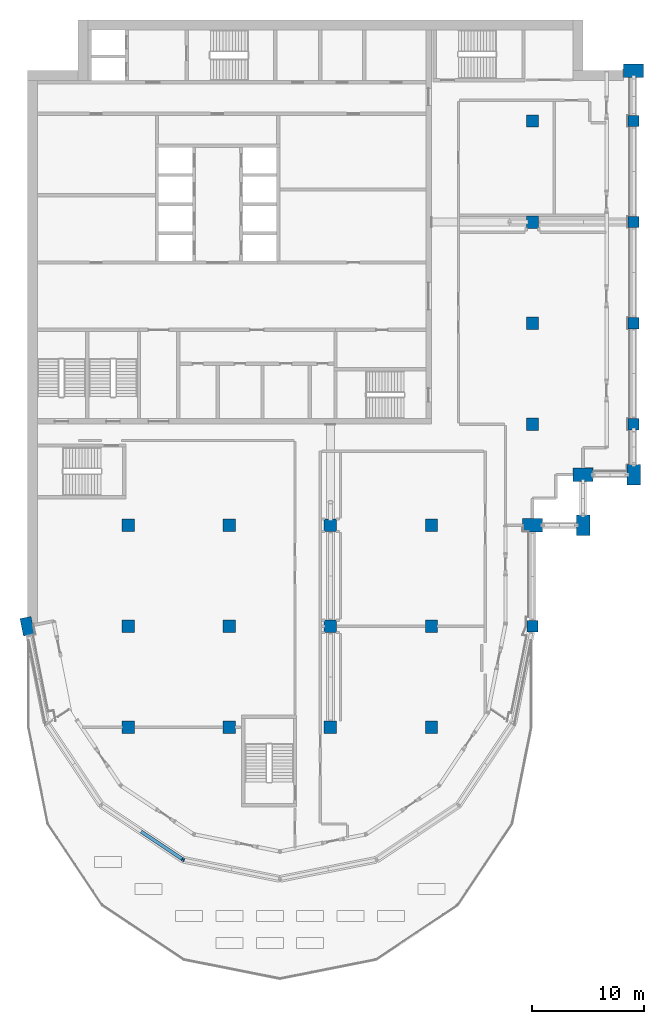
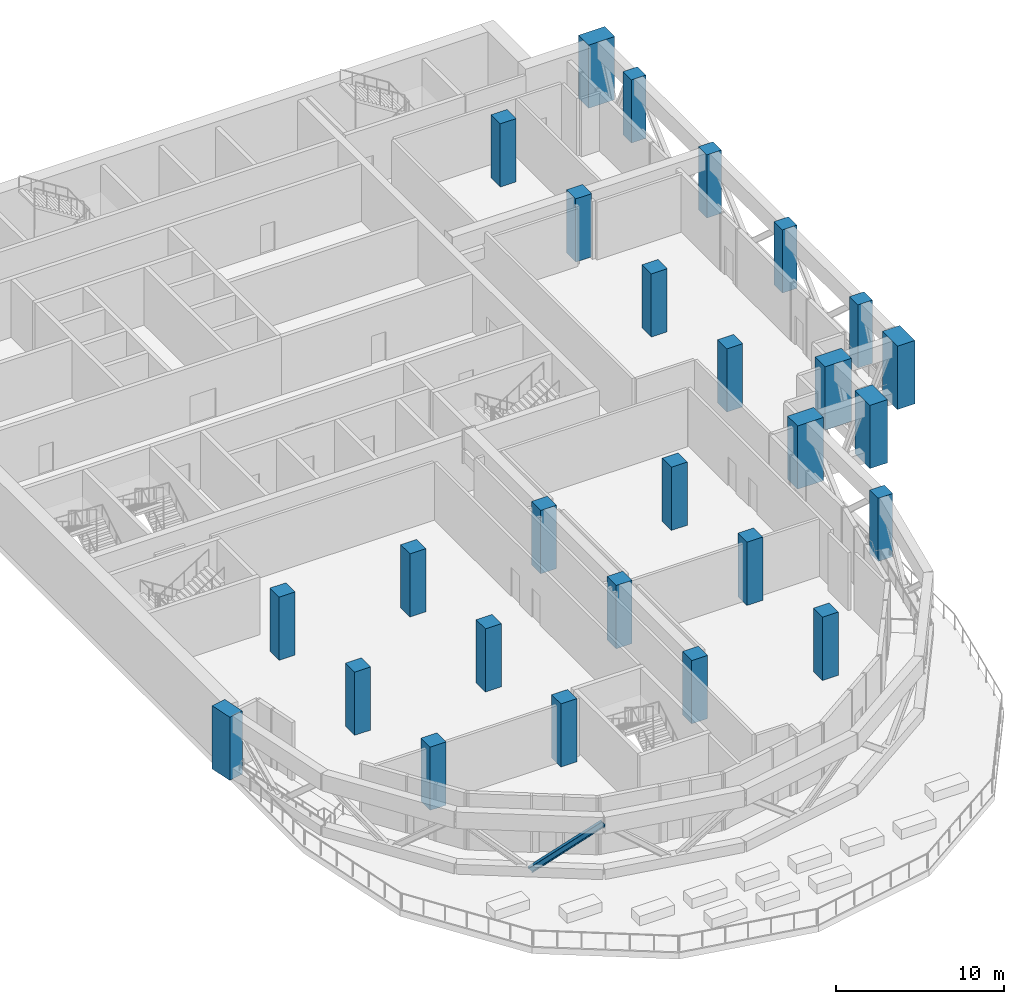
# One storey, part 1 of 16: 27 columns, 1 member.
"""IFC4 building model written with IfcOpenShell, lengths in metres."""

from ifc_helpers import new_model, si_unit, direction, frame, origin, origin_2d, place, context, subcontext, project, spatial, rectangle, i_section, extrude, material, material_profile, profile_set, type_object, element, save


model = new_model("IFC4")

# Units and contexts
model_context = context("Model", 3, precision=1e-05, world=origin(), true_north=direction((0.0, 1.0)))
body_context = subcontext(model_context, "Body", "Model", "MODEL_VIEW")
ifc_project = project(units=[si_unit("LENGTHUNIT", "METRE"), si_unit("AREAUNIT", "SQUARE_METRE"), si_unit("VOLUMEUNIT", "CUBIC_METRE"), si_unit("PLANEANGLEUNIT", "RADIAN"), si_unit("MASSUNIT", "GRAM", prefix="KILO")], contexts=[model_context])

# Site, building, storey
site_placement = place(None, origin())
site = spatial("IfcSite", under=ifc_project, at=site_placement, CompositionType="ELEMENT")
building_placement = place(site_placement, origin())
building = spatial("IfcBuilding", under=site, at=building_placement, Name="Hunhe Ridgeline Campus", CompositionType="ELEMENT")
storey_placement = place(building_placement, frame((0.0, 0.0, 227.199951171875)))
storey = spatial("IfcBuildingStorey", under=building, at=storey_placement, Name="L58", CompositionType="ELEMENT", Elevation=227.199951171875)

# Columns
ifc_material_1 = material(Name="Concrete C60", Category="concrete")
ifc_material_profile_1 = material_profile(ifc_material_1, rectangle(XDim=1.60009765625, YDim=1.0, at=origin_2d()))
ifc_profile_set_1 = profile_set([ifc_material_profile_1], Name="Concrete C60")
column_type_1 = type_object("IfcColumnType", Name="Megacolumn 1600x1000 Concrete C60", PredefinedType="COLUMN", material=ifc_profile_set_1)
column_placement = place(storey_placement, frame((0.0, 45.0, 0.0), z_axis=(0.0, 0.0, 1.0), x_axis=(-0.195090322016, 0.980785280403, 0.0)))
element("IfcColumn", 1, at=column_placement, inside=storey, type_object=column_type_1, Name="Column C14 F1 L58", PredefinedType="COLUMN", context=body_context, shape_type="SweptSolid", body=[
    extrude(rectangle(XDim=1.60009765625, YDim=1.0, at=origin_2d()), origin(), (0.0, 0.0, 1.0), 4.60009765625),
])
ifc_material_profile_2 = material_profile(ifc_material_1, rectangle(XDim=1.800048828125, YDim=1.199951171875, at=origin_2d()))
ifc_profile_set_2 = profile_set([ifc_material_profile_2], Name="Concrete C60")
column_type_2 = type_object("IfcColumnType", Name="Megacolumn 1800x1200 Concrete C60", PredefinedType="COLUMN", material=ifc_profile_set_2)
for number, where, z_axis, x_axis, name in (
    (2, (45.0, 54.0, 0.0), (0.0, 0.0, 1.0), (1.0, 0.0, 0.0), "Column C11 G6 L58"),
    (3, (49.5, 54.0, 0.0), (0.0, 0.0, 1.0), (0.0, 1.0, 0.0), "Column C11 R29 L58"),
    (4, (49.5, 58.5, 0.0), (0.0, 0.0, 1.0), (1.0, 0.0, 0.0), "Column C11 R33 L58"),
    (5, (54.0, 58.5, 0.0), (0.0, 0.0, 1.0), (0.0, 1.0, 0.0), "Column C11 R34 L58"),
    (6, (54.0, 94.5, 0.0), (0.0, 0.0, 1.0), (1.0, 0.0, 0.0), "Column C11 R41 L58"),
):
    element("IfcColumn", number, at=place(storey_placement, frame(where, z_axis=z_axis, x_axis=x_axis)), inside=storey, type_object=column_type_2, Name=name, PredefinedType="COLUMN", context=body_context, shape_type="SweptSolid", body=[
        extrude(rectangle(XDim=1.800048828125, YDim=1.199951171875, at=origin_2d()), origin(), (0.0, 0.0, 1.0), 4.60009765625),
    ])
ifc_material_profile_3 = material_profile(ifc_material_1, rectangle(XDim=1.0, YDim=1.0, at=origin_2d()))
ifc_profile_set_3 = profile_set([ifc_material_profile_3], Name="Concrete C60")
column_type_3 = type_object("IfcColumnType", Name="RC column 1000x1000 Concrete C60", PredefinedType="COLUMN", material=ifc_profile_set_3)
for number, where, z_axis, x_axis, name in (
    (7, (45.0, 45.0, 0.0), (0.0, 0.0, 1.0), (1.0, 0.0, 0.0), "Column C12 F6 L58"),
    (8, (54.0, 63.0, 0.0), (0.0, 0.0, 1.0), (1.0, 0.0, 0.0), "Column C12 H7 L58"),
    (9, (54.0, 72.0, 0.0), (0.0, 0.0, 1.0), (1.0, 0.0, 0.0), "Column C12 I7 L58"),
    (10, (54.0, 81.0, 0.0), (0.0, 0.0, 1.0), (1.0, 0.0, 0.0), "Column C12 J7 L58"),
    (11, (54.0, 90.0, 0.0), (0.0, 0.0, 1.0), (1.0, 0.0, 0.0), "Column C12 K7 L58"),
):
    element("IfcColumn", number, at=place(storey_placement, frame(where, z_axis=z_axis, x_axis=x_axis)), inside=storey, type_object=column_type_3, Name=name, PredefinedType="COLUMN", context=body_context, shape_type="SweptSolid", body=[
        extrude(rectangle(XDim=1.0, YDim=1.0, at=origin_2d()), origin(), (0.0, 0.0, 1.0), 4.60009765625),
    ])
ifc_material_profile_4 = material_profile(ifc_material_1, rectangle(XDim=1.10009765625, YDim=1.10009765625, at=origin_2d()))
ifc_profile_set_4 = profile_set([ifc_material_profile_4], Name="Concrete C60")
column_type_4 = type_object("IfcColumnType", Name="RC column 1100x1100 Concrete C60", PredefinedType="COLUMN", material=ifc_profile_set_4)
for number, where, z_axis, x_axis, name in (
    (12, (9.0, 36.0, 0.0), (0.0, 0.0, 1.0), (1.0, 0.0, 0.0), "Column C13 E2 L58"),
    (13, (9.0, 45.0, 0.0), (0.0, 0.0, 1.0), (1.0, 0.0, 0.0), "Column C13 F2 L58"),
    (14, (9.0, 54.0, 0.0), (0.0, 0.0, 1.0), (1.0, 0.0, 0.0), "Column C13 G2 L58"),
    (15, (18.0, 36.0, 0.0), (0.0, 0.0, 1.0), (1.0, 0.0, 0.0), "Column C13 E3 L58"),
    (16, (18.0, 45.0, 0.0), (0.0, 0.0, 1.0), (1.0, 0.0, 0.0), "Column C13 F3 L58"),
    (17, (18.0, 54.0, 0.0), (0.0, 0.0, 1.0), (1.0, 0.0, 0.0), "Column C13 G3 L58"),
    (18, (27.0, 36.0, 0.0), (0.0, 0.0, 1.0), (1.0, 0.0, 0.0), "Column C13 E4 L58"),
    (19, (27.0, 45.0, 0.0), (0.0, 0.0, 1.0), (1.0, 0.0, 0.0), "Column C13 F4 L58"),
    (20, (27.0, 54.0, 0.0), (0.0, 0.0, 1.0), (1.0, 0.0, 0.0), "Column C13 G4 L58"),
    (21, (36.0, 36.0, 0.0), (0.0, 0.0, 1.0), (1.0, 0.0, 0.0), "Column C13 E5 L58"),
    (22, (36.0, 45.0, 0.0), (0.0, 0.0, 1.0), (1.0, 0.0, 0.0), "Column C13 F5 L58"),
    (23, (36.0, 54.0, 0.0), (0.0, 0.0, 1.0), (1.0, 0.0, 0.0), "Column C13 G5 L58"),
    (24, (45.0, 63.0, 0.0), (0.0, 0.0, 1.0), (1.0, 0.0, 0.0), "Column C13 H6 L58"),
    (25, (45.0, 72.0, 0.0), (0.0, 0.0, 1.0), (1.0, 0.0, 0.0), "Column C13 I6 L58"),
    (26, (45.0, 81.0, 0.0), (0.0, 0.0, 1.0), (1.0, 0.0, 0.0), "Column C13 J6 L58"),
    (27, (45.0, 90.0, 0.0), (0.0, 0.0, 1.0), (1.0, 0.0, 0.0), "Column C13 K6 L58"),
):
    element("IfcColumn", number, at=place(storey_placement, frame(where, z_axis=z_axis, x_axis=x_axis)), inside=storey, type_object=column_type_4, Name=name, PredefinedType="COLUMN", context=body_context, shape_type="SweptSolid", body=[
        extrude(rectangle(XDim=1.10009765625, YDim=1.10009765625, at=origin_2d()), origin(), (0.0, 0.0, 1.0), 4.60009765625),
    ])

# Member
ifc_material_2 = material(Name="Steel Q420", Category="steel")
ifc_material_profile_5 = material_profile(ifc_material_2, i_section(OverallWidth=0.300048828125, OverallDepth=0.389892578125, WebThickness=0.010009765625, FlangeThickness=0.01611328125, FilletRadius=0.012939453125, at=origin_2d()))
ifc_profile_set_5 = profile_set([ifc_material_profile_5], Name="Steel Q420")
member_type = type_object("IfcMemberType", Name="Belt truss diagonal HM390x300x10x16 Steel Q420", PredefinedType="BRACE", material=ifc_profile_set_5)
member_placement = place(storey_placement, frame((10.23974609375, 26.6513671875, 0.400146484375), z_axis=(0.642930388216, -0.429580712233, 0.634114285903), x_axis=(0.555559826862, 0.831476565381, 0.0)))
element("IfcMember", 28, at=member_placement, inside=storey, type_object=member_type, Name="Belt truss BT1 diagonal L58 12", PredefinedType="BRACE", context=body_context, shape_type="SweptSolid", body=[
    extrude(i_section(OverallWidth=0.300048828125, OverallDepth=0.389892578125, WebThickness=0.010009765625, FlangeThickness=0.01611328125, FilletRadius=0.012939453125, at=origin_2d()), origin(), (0.0, 0.0, 1.0), 5.677001953125),
])

save(model, "model.ifc")
